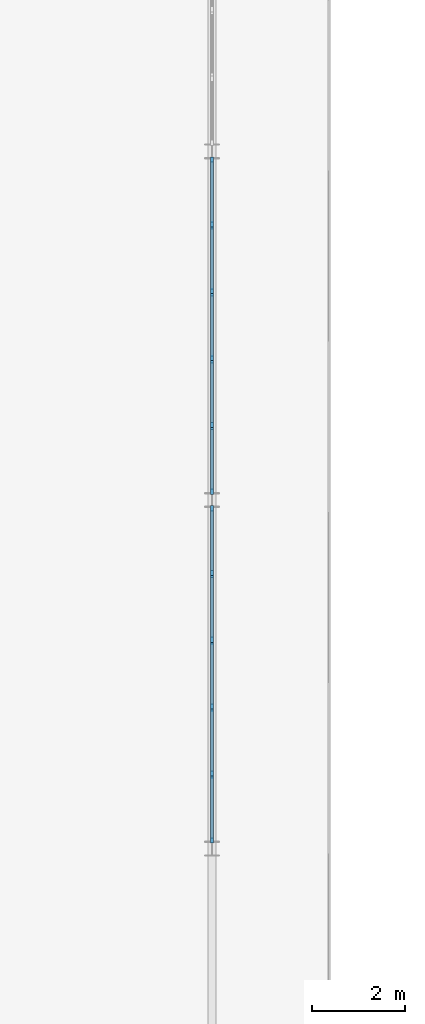
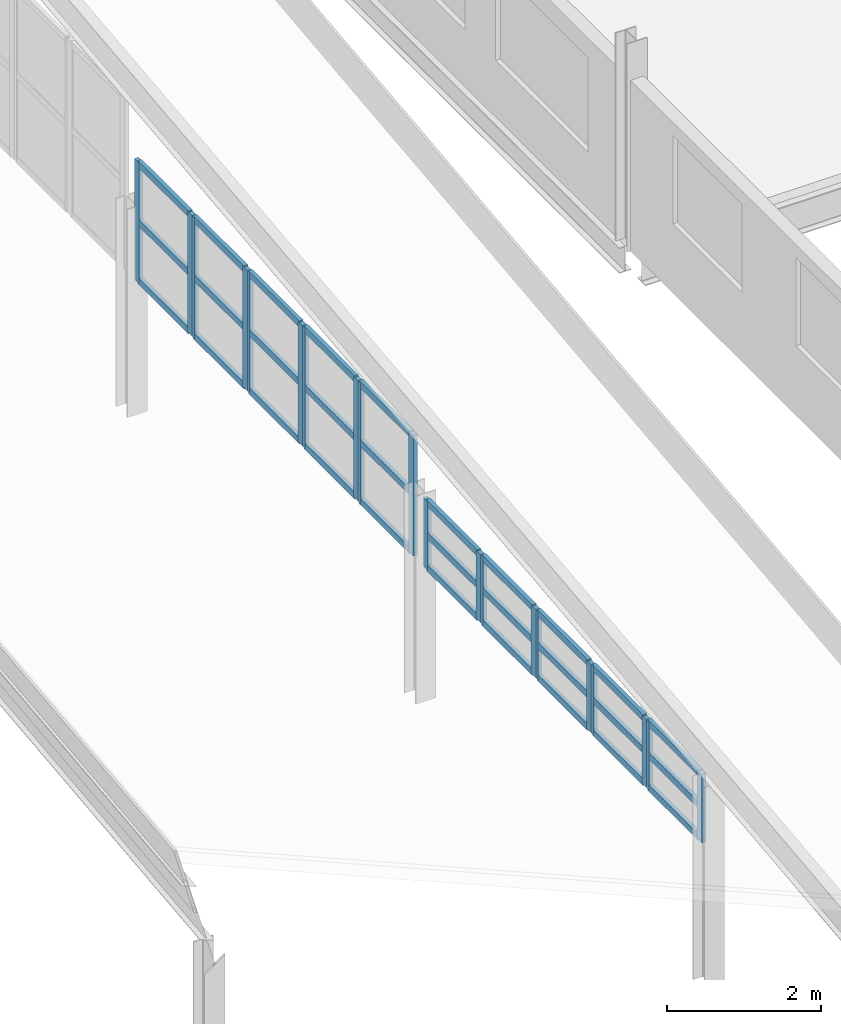
# One storey, part 37 of 199: 50 members, 10 elements without a shape of their own.
"""IFC4 building model written with IfcOpenShell, lengths in metres."""

from ifc_helpers import new_model, si_unit, direction, frame, origin, origin_2d, place, context, subcontext, project, spatial, rectangle, extrude, material, material_profile, profile_set, type_object, element, aggregate, save


model = new_model("IFC4")

# Units and contexts
model_context = context("Model", 3, precision=1e-05, world=origin(), true_north=direction((0.0, 1.0)))
body_context = subcontext(model_context, "Body", "Model", "MODEL_VIEW")
ifc_project = project(units=[si_unit("LENGTHUNIT", "METRE"), si_unit("AREAUNIT", "SQUARE_METRE"), si_unit("VOLUMEUNIT", "CUBIC_METRE"), si_unit("PLANEANGLEUNIT", "RADIAN"), si_unit("MASSUNIT", "GRAM", prefix="KILO")], contexts=[model_context])

# Site, building, storey
site_placement = place(None, origin())
site = spatial("IfcSite", under=ifc_project, at=site_placement, CompositionType="ELEMENT")
building_placement = place(site_placement, origin())
building = spatial("IfcBuilding", under=site, at=building_placement, Name="Parallax Yard Mobility Hub", CompositionType="ELEMENT")
storey_placement = place(building_placement, frame((0.0, 0.0, 9.89990234375)))
storey = spatial("IfcBuildingStorey", under=building, at=storey_placement, Name="L03", CompositionType="ELEMENT", Elevation=9.89990234375)

# Curtain wall, members
ifc_material_1 = material(Name="Thermally broken aluminium curtain wall system", Category="aluminium")
curtain_wall_type = type_object("IfcCurtainWallType", Name="Clerestory glazing run 60 x 120 frame", PredefinedType="NOTDEFINED", material=ifc_material_1)
curtain_wall_1_placement = place(storey_placement, origin())
curtain_wall_1 = element("IfcCurtainWall", 1, at=curtain_wall_1_placement, inside=storey, type_object=curtain_wall_type, Name="Clerestory glazing run Bicycle and shared-mobility hall east bay 2 level L02", PredefinedType="NOTDEFINED")
ifc_material_2 = material(Name="Extruded aluminium", Category="aluminium")
ifc_material_profile_1 = material_profile(ifc_material_2, rectangle(XDim=0.06005859375, YDim=0.1201171875, at=origin_2d()), Name="Mullion 60 x 120")
ifc_profile_set_1 = profile_set([ifc_material_profile_1], Name="Extruded aluminium")
member_type_1 = type_object("IfcMemberType", Name="Mullion 60 x 120", PredefinedType="MULLION", material=ifc_profile_set_1)
member_1_placement = place(storey_placement, frame((172.5, 15.18359375, 2.140625), z_axis=(0.0, 0.0, 1.0), x_axis=(-1.0, 0.0, 0.0)))
member_1 = element("IfcMember", 2, at=member_1_placement, type_object=member_type_1, Name="CW4 mullion 1", PredefinedType="MULLION", context=body_context, shape_type="SweptSolid", body=[
    extrude(rectangle(XDim=0.06005859375, YDim=0.1201171875, at=origin_2d()), origin(), (0.0, 0.0, 1.0), 1.08447265625),
])
member_2_placement = place(storey_placement, frame((172.5, 16.56201171875, 2.140625), z_axis=(0.0, 0.0, 1.0), x_axis=(-1.0, 0.0, 0.0)))
member_2 = element("IfcMember", 3, at=member_2_placement, type_object=member_type_1, Name="CW4 mullion 2", PredefinedType="MULLION", context=body_context, shape_type="SweptSolid", body=[
    extrude(rectangle(XDim=0.06005859375, YDim=0.1201171875, at=origin_2d()), origin(), (0.0, 0.0, 1.0), 1.08447265625),
])

curtain_wall_2_placement = place(storey_placement, origin())
curtain_wall_2 = element("IfcCurtainWall", 4, at=curtain_wall_2_placement, inside=storey, type_object=curtain_wall_type, Name="Clerestory glazing run Bicycle and shared-mobility hall east bay 2 level L02", PredefinedType="NOTDEFINED")
member_3_placement = place(storey_placement, frame((172.5, 16.6220703125, 2.140625), z_axis=(0.0, 0.0, 1.0), x_axis=(-1.0, 0.0, 0.0)))
member_3 = element("IfcMember", 5, at=member_3_placement, type_object=member_type_1, Name="CW4 mullion 1", PredefinedType="MULLION", context=body_context, shape_type="SweptSolid", body=[
    extrude(rectangle(XDim=0.06005859375, YDim=0.1201171875, at=origin_2d()), origin(), (0.0, 0.0, 1.0), 1.08447265625),
])
member_4_placement = place(storey_placement, frame((172.5, 18.000732421875, 2.140625), z_axis=(0.0, 0.0, 1.0), x_axis=(-1.0, 0.0, 0.0)))
member_4 = element("IfcMember", 6, at=member_4_placement, type_object=member_type_1, Name="CW4 mullion 2", PredefinedType="MULLION", context=body_context, shape_type="SweptSolid", body=[
    extrude(rectangle(XDim=0.06005859375, YDim=0.1201171875, at=origin_2d()), origin(), (0.0, 0.0, 1.0), 1.08447265625),
])

curtain_wall_3_placement = place(storey_placement, origin())
curtain_wall_3 = element("IfcCurtainWall", 7, at=curtain_wall_3_placement, inside=storey, type_object=curtain_wall_type, Name="Clerestory glazing run Bicycle and shared-mobility hall east bay 2 level L02", PredefinedType="NOTDEFINED")
member_5_placement = place(storey_placement, frame((172.5, 18.060791015625, 2.140625), z_axis=(0.0, 0.0, 1.0), x_axis=(-1.0, 0.0, 0.0)))
member_5 = element("IfcMember", 8, at=member_5_placement, type_object=member_type_1, Name="CW4 mullion 1", PredefinedType="MULLION", context=body_context, shape_type="SweptSolid", body=[
    extrude(rectangle(XDim=0.06005859375, YDim=0.1201171875, at=origin_2d()), origin(), (0.0, 0.0, 1.0), 1.08447265625),
])
member_6_placement = place(storey_placement, frame((172.5, 19.439208984375, 2.140625), z_axis=(0.0, 0.0, 1.0), x_axis=(-1.0, 0.0, 0.0)))
member_6 = element("IfcMember", 9, at=member_6_placement, type_object=member_type_1, Name="CW4 mullion 2", PredefinedType="MULLION", context=body_context, shape_type="SweptSolid", body=[
    extrude(rectangle(XDim=0.06005859375, YDim=0.1201171875, at=origin_2d()), origin(), (0.0, 0.0, 1.0), 1.08447265625),
])

curtain_wall_4_placement = place(storey_placement, origin())
curtain_wall_4 = element("IfcCurtainWall", 10, at=curtain_wall_4_placement, inside=storey, type_object=curtain_wall_type, Name="Clerestory glazing run Bicycle and shared-mobility hall east bay 2 level L02", PredefinedType="NOTDEFINED")
member_7_placement = place(storey_placement, frame((172.5, 19.499267578125, 2.140625), z_axis=(0.0, 0.0, 1.0), x_axis=(-1.0, 0.0, 0.0)))
member_7 = element("IfcMember", 11, at=member_7_placement, type_object=member_type_1, Name="CW4 mullion 1", PredefinedType="MULLION", context=body_context, shape_type="SweptSolid", body=[
    extrude(rectangle(XDim=0.06005859375, YDim=0.1201171875, at=origin_2d()), origin(), (0.0, 0.0, 1.0), 1.08447265625),
])
member_8_placement = place(storey_placement, frame((172.5, 20.8779296875, 2.140625), z_axis=(0.0, 0.0, 1.0), x_axis=(-1.0, 0.0, 0.0)))
member_8 = element("IfcMember", 12, at=member_8_placement, type_object=member_type_1, Name="CW4 mullion 2", PredefinedType="MULLION", context=body_context, shape_type="SweptSolid", body=[
    extrude(rectangle(XDim=0.06005859375, YDim=0.1201171875, at=origin_2d()), origin(), (0.0, 0.0, 1.0), 1.08447265625),
])

curtain_wall_5_placement = place(storey_placement, origin())
curtain_wall_5 = element("IfcCurtainWall", 13, at=curtain_wall_5_placement, inside=storey, type_object=curtain_wall_type, Name="Clerestory glazing run Bicycle and shared-mobility hall east bay 2 level L02", PredefinedType="NOTDEFINED")
member_9_placement = place(storey_placement, frame((172.5, 20.93798828125, 2.140625), z_axis=(0.0, 0.0, 1.0), x_axis=(-1.0, 0.0, 0.0)))
member_9 = element("IfcMember", 14, at=member_9_placement, type_object=member_type_1, Name="CW4 mullion 1", PredefinedType="MULLION", context=body_context, shape_type="SweptSolid", body=[
    extrude(rectangle(XDim=0.06005859375, YDim=0.1201171875, at=origin_2d()), origin(), (0.0, 0.0, 1.0), 1.08447265625),
])
member_10_placement = place(storey_placement, frame((172.5, 22.31640625, 2.140625), z_axis=(0.0, 0.0, 1.0), x_axis=(-1.0, 0.0, 0.0)))
member_10 = element("IfcMember", 15, at=member_10_placement, type_object=member_type_1, Name="CW4 mullion 2", PredefinedType="MULLION", context=body_context, shape_type="SweptSolid", body=[
    extrude(rectangle(XDim=0.06005859375, YDim=0.1201171875, at=origin_2d()), origin(), (0.0, 0.0, 1.0), 1.08447265625),
])

curtain_wall_6_placement = place(storey_placement, origin())
curtain_wall_6 = element("IfcCurtainWall", 16, at=curtain_wall_6_placement, inside=storey, type_object=curtain_wall_type, Name="Clerestory glazing run Bicycle and shared-mobility hall east bay 3 level L02", PredefinedType="NOTDEFINED")
member_11_placement = place(storey_placement, frame((172.5, 22.68359375, 2.140625), z_axis=(0.0, 0.0, 1.0), x_axis=(-1.0, 0.0, 0.0)))
member_11 = element("IfcMember", 17, at=member_11_placement, type_object=member_type_1, Name="CW4 mullion 1", PredefinedType="MULLION", context=body_context, shape_type="SweptSolid", body=[
    extrude(rectangle(XDim=0.06005859375, YDim=0.1201171875, at=origin_2d()), origin(), (0.0, 0.0, 1.0), 1.912841796875),
])
member_12_placement = place(storey_placement, frame((172.5, 24.06201171875, 2.140625), z_axis=(0.0, 0.0, 1.0), x_axis=(-1.0, 0.0, 0.0)))
member_12 = element("IfcMember", 18, at=member_12_placement, type_object=member_type_1, Name="CW4 mullion 2", PredefinedType="MULLION", context=body_context, shape_type="SweptSolid", body=[
    extrude(rectangle(XDim=0.06005859375, YDim=0.1201171875, at=origin_2d()), origin(), (0.0, 0.0, 1.0), 1.912841796875),
])

curtain_wall_7_placement = place(storey_placement, origin())
curtain_wall_7 = element("IfcCurtainWall", 19, at=curtain_wall_7_placement, inside=storey, type_object=curtain_wall_type, Name="Clerestory glazing run Bicycle and shared-mobility hall east bay 3 level L02", PredefinedType="NOTDEFINED")
member_13_placement = place(storey_placement, frame((172.5, 24.1220703125, 2.140625), z_axis=(0.0, 0.0, 1.0), x_axis=(-1.0, 0.0, 0.0)))
member_13 = element("IfcMember", 20, at=member_13_placement, type_object=member_type_1, Name="CW4 mullion 1", PredefinedType="MULLION", context=body_context, shape_type="SweptSolid", body=[
    extrude(rectangle(XDim=0.06005859375, YDim=0.1201171875, at=origin_2d()), origin(), (0.0, 0.0, 1.0), 1.912841796875),
])
member_14_placement = place(storey_placement, frame((172.5, 25.500732421875, 2.140625), z_axis=(0.0, 0.0, 1.0), x_axis=(-1.0, 0.0, 0.0)))
member_14 = element("IfcMember", 21, at=member_14_placement, type_object=member_type_1, Name="CW4 mullion 2", PredefinedType="MULLION", context=body_context, shape_type="SweptSolid", body=[
    extrude(rectangle(XDim=0.06005859375, YDim=0.1201171875, at=origin_2d()), origin(), (0.0, 0.0, 1.0), 1.912841796875),
])

curtain_wall_8_placement = place(storey_placement, origin())
curtain_wall_8 = element("IfcCurtainWall", 22, at=curtain_wall_8_placement, inside=storey, type_object=curtain_wall_type, Name="Clerestory glazing run Bicycle and shared-mobility hall east bay 3 level L02", PredefinedType="NOTDEFINED")
member_15_placement = place(storey_placement, frame((172.5, 25.560791015625, 2.140625), z_axis=(0.0, 0.0, 1.0), x_axis=(-1.0, 0.0, 0.0)))
member_15 = element("IfcMember", 23, at=member_15_placement, type_object=member_type_1, Name="CW4 mullion 1", PredefinedType="MULLION", context=body_context, shape_type="SweptSolid", body=[
    extrude(rectangle(XDim=0.06005859375, YDim=0.1201171875, at=origin_2d()), origin(), (0.0, 0.0, 1.0), 1.912841796875),
])
member_16_placement = place(storey_placement, frame((172.5, 26.939208984375, 2.140625), z_axis=(0.0, 0.0, 1.0), x_axis=(-1.0, 0.0, 0.0)))
member_16 = element("IfcMember", 24, at=member_16_placement, type_object=member_type_1, Name="CW4 mullion 2", PredefinedType="MULLION", context=body_context, shape_type="SweptSolid", body=[
    extrude(rectangle(XDim=0.06005859375, YDim=0.1201171875, at=origin_2d()), origin(), (0.0, 0.0, 1.0), 1.912841796875),
])

curtain_wall_9_placement = place(storey_placement, origin())
curtain_wall_9 = element("IfcCurtainWall", 25, at=curtain_wall_9_placement, inside=storey, type_object=curtain_wall_type, Name="Clerestory glazing run Bicycle and shared-mobility hall east bay 3 level L02", PredefinedType="NOTDEFINED")
member_17_placement = place(storey_placement, frame((172.5, 26.999267578125, 2.140625), z_axis=(0.0, 0.0, 1.0), x_axis=(-1.0, 0.0, 0.0)))
member_17 = element("IfcMember", 26, at=member_17_placement, type_object=member_type_1, Name="CW4 mullion 1", PredefinedType="MULLION", context=body_context, shape_type="SweptSolid", body=[
    extrude(rectangle(XDim=0.06005859375, YDim=0.1201171875, at=origin_2d()), origin(), (0.0, 0.0, 1.0), 1.912841796875),
])
member_18_placement = place(storey_placement, frame((172.5, 28.3779296875, 2.140625), z_axis=(0.0, 0.0, 1.0), x_axis=(-1.0, 0.0, 0.0)))
member_18 = element("IfcMember", 27, at=member_18_placement, type_object=member_type_1, Name="CW4 mullion 2", PredefinedType="MULLION", context=body_context, shape_type="SweptSolid", body=[
    extrude(rectangle(XDim=0.06005859375, YDim=0.1201171875, at=origin_2d()), origin(), (0.0, 0.0, 1.0), 1.912841796875),
])

curtain_wall_10_placement = place(storey_placement, origin())
curtain_wall_10 = element("IfcCurtainWall", 28, at=curtain_wall_10_placement, inside=storey, type_object=curtain_wall_type, Name="Clerestory glazing run Bicycle and shared-mobility hall east bay 3 level L02", PredefinedType="NOTDEFINED")
member_19_placement = place(storey_placement, frame((172.5, 28.43798828125, 2.140625), z_axis=(0.0, 0.0, 1.0), x_axis=(-1.0, 0.0, 0.0)))
member_19 = element("IfcMember", 29, at=member_19_placement, type_object=member_type_1, Name="CW4 mullion 1", PredefinedType="MULLION", context=body_context, shape_type="SweptSolid", body=[
    extrude(rectangle(XDim=0.06005859375, YDim=0.1201171875, at=origin_2d()), origin(), (0.0, 0.0, 1.0), 1.912841796875),
])
member_20_placement = place(storey_placement, frame((172.5, 29.81640625, 2.140625), z_axis=(0.0, 0.0, 1.0), x_axis=(-1.0, 0.0, 0.0)))
member_20 = element("IfcMember", 30, at=member_20_placement, type_object=member_type_1, Name="CW4 mullion 2", PredefinedType="MULLION", context=body_context, shape_type="SweptSolid", body=[
    extrude(rectangle(XDim=0.06005859375, YDim=0.1201171875, at=origin_2d()), origin(), (0.0, 0.0, 1.0), 1.912841796875),
])

# Member
ifc_material_profile_2 = material_profile(ifc_material_2, rectangle(XDim=0.06005859375, YDim=0.10009765625, at=origin_2d()), Name="Transom 60 x 100")
ifc_profile_set_2 = profile_set([ifc_material_profile_2], Name="Extruded aluminium")
member_type_2 = type_object("IfcMemberType", Name="Transom 60 x 100", PredefinedType="USERDEFINED", material=ifc_profile_set_2)
member_21_placement = place(storey_placement, frame((172.5, 15.21337890625, 2.170654296875), z_axis=(0.0, 1.0, 0.0), x_axis=(-1.0, 0.0, 0.0)))
member_21 = element("IfcMember", 31, at=member_21_placement, type_object=member_type_2, Name="CW4 transom 1.1", ObjectType="TRANSOM", PredefinedType="USERDEFINED", context=body_context, shape_type="SweptSolid", body=[
    extrude(rectangle(XDim=0.06005859375, YDim=0.10009765625, at=origin_2d()), origin(), (0.0, 0.0, 1.0), 1.318603515625),
])

member_22_placement = place(storey_placement, frame((172.5, 15.21337890625, 2.682861328125), z_axis=(0.0, 1.0, 0.0), x_axis=(-1.0, 0.0, 0.0)))
member_22 = element("IfcMember", 32, at=member_22_placement, type_object=member_type_2, Name="CW4 transom 1.2", ObjectType="TRANSOM", PredefinedType="USERDEFINED", context=body_context, shape_type="SweptSolid", body=[
    extrude(rectangle(XDim=0.06005859375, YDim=0.10009765625, at=origin_2d()), origin(), (0.0, 0.0, 1.0), 1.318603515625),
])

member_23_placement = place(storey_placement, frame((172.5, 15.21337890625, 3.195068359375), z_axis=(0.0, 1.0, 0.0), x_axis=(-1.0, 0.0, 0.0)))
member_23 = element("IfcMember", 33, at=member_23_placement, type_object=member_type_2, Name="CW4 transom 1.3", ObjectType="TRANSOM", PredefinedType="USERDEFINED", context=body_context, shape_type="SweptSolid", body=[
    extrude(rectangle(XDim=0.06005859375, YDim=0.10009765625, at=origin_2d()), origin(), (0.0, 0.0, 1.0), 1.318603515625),
])

aggregate(curtain_wall_1, [member_1, member_2, member_21, member_22, member_23])

member_24_placement = place(storey_placement, frame((172.5, 16.652099609375, 2.170654296875), z_axis=(0.0, 1.0, 0.0), x_axis=(-1.0, 0.0, 0.0)))
member_24 = element("IfcMember", 34, at=member_24_placement, type_object=member_type_2, Name="CW4 transom 1.1", ObjectType="TRANSOM", PredefinedType="USERDEFINED", context=body_context, shape_type="SweptSolid", body=[
    extrude(rectangle(XDim=0.06005859375, YDim=0.10009765625, at=origin_2d()), origin(), (0.0, 0.0, 1.0), 1.318603515625),
])

member_25_placement = place(storey_placement, frame((172.5, 16.652099609375, 2.682861328125), z_axis=(0.0, 1.0, 0.0), x_axis=(-1.0, 0.0, 0.0)))
member_25 = element("IfcMember", 35, at=member_25_placement, type_object=member_type_2, Name="CW4 transom 1.2", ObjectType="TRANSOM", PredefinedType="USERDEFINED", context=body_context, shape_type="SweptSolid", body=[
    extrude(rectangle(XDim=0.06005859375, YDim=0.10009765625, at=origin_2d()), origin(), (0.0, 0.0, 1.0), 1.318603515625),
])

member_26_placement = place(storey_placement, frame((172.5, 16.652099609375, 3.195068359375), z_axis=(0.0, 1.0, 0.0), x_axis=(-1.0, 0.0, 0.0)))
member_26 = element("IfcMember", 36, at=member_26_placement, type_object=member_type_2, Name="CW4 transom 1.3", ObjectType="TRANSOM", PredefinedType="USERDEFINED", context=body_context, shape_type="SweptSolid", body=[
    extrude(rectangle(XDim=0.06005859375, YDim=0.10009765625, at=origin_2d()), origin(), (0.0, 0.0, 1.0), 1.318603515625),
])

aggregate(curtain_wall_2, [member_3, member_4, member_24, member_25, member_26])

member_27_placement = place(storey_placement, frame((172.5, 18.0908203125, 2.170654296875), z_axis=(0.0, 1.0, 0.0), x_axis=(-1.0, 0.0, 0.0)))
member_27 = element("IfcMember", 37, at=member_27_placement, type_object=member_type_2, Name="CW4 transom 1.1", ObjectType="TRANSOM", PredefinedType="USERDEFINED", context=body_context, shape_type="SweptSolid", body=[
    extrude(rectangle(XDim=0.06005859375, YDim=0.10009765625, at=origin_2d()), origin(), (0.0, 0.0, 1.0), 1.318359375),
])

member_28_placement = place(storey_placement, frame((172.5, 18.0908203125, 2.682861328125), z_axis=(0.0, 1.0, 0.0), x_axis=(-1.0, 0.0, 0.0)))
member_28 = element("IfcMember", 38, at=member_28_placement, type_object=member_type_2, Name="CW4 transom 1.2", ObjectType="TRANSOM", PredefinedType="USERDEFINED", context=body_context, shape_type="SweptSolid", body=[
    extrude(rectangle(XDim=0.06005859375, YDim=0.10009765625, at=origin_2d()), origin(), (0.0, 0.0, 1.0), 1.318359375),
])

member_29_placement = place(storey_placement, frame((172.5, 18.0908203125, 3.195068359375), z_axis=(0.0, 1.0, 0.0), x_axis=(-1.0, 0.0, 0.0)))
member_29 = element("IfcMember", 39, at=member_29_placement, type_object=member_type_2, Name="CW4 transom 1.3", ObjectType="TRANSOM", PredefinedType="USERDEFINED", context=body_context, shape_type="SweptSolid", body=[
    extrude(rectangle(XDim=0.06005859375, YDim=0.10009765625, at=origin_2d()), origin(), (0.0, 0.0, 1.0), 1.318359375),
])

aggregate(curtain_wall_3, [member_5, member_6, member_27, member_28, member_29])

member_30_placement = place(storey_placement, frame((172.5, 19.529296875, 2.170654296875), z_axis=(0.0, 1.0, 0.0), x_axis=(-1.0, 0.0, 0.0)))
member_30 = element("IfcMember", 40, at=member_30_placement, type_object=member_type_2, Name="CW4 transom 1.1", ObjectType="TRANSOM", PredefinedType="USERDEFINED", context=body_context, shape_type="SweptSolid", body=[
    extrude(rectangle(XDim=0.06005859375, YDim=0.10009765625, at=origin_2d()), origin(), (0.0, 0.0, 1.0), 1.318603515625),
])

member_31_placement = place(storey_placement, frame((172.5, 19.529296875, 2.682861328125), z_axis=(0.0, 1.0, 0.0), x_axis=(-1.0, 0.0, 0.0)))
member_31 = element("IfcMember", 41, at=member_31_placement, type_object=member_type_2, Name="CW4 transom 1.2", ObjectType="TRANSOM", PredefinedType="USERDEFINED", context=body_context, shape_type="SweptSolid", body=[
    extrude(rectangle(XDim=0.06005859375, YDim=0.10009765625, at=origin_2d()), origin(), (0.0, 0.0, 1.0), 1.318603515625),
])

member_32_placement = place(storey_placement, frame((172.5, 19.529296875, 3.195068359375), z_axis=(0.0, 1.0, 0.0), x_axis=(-1.0, 0.0, 0.0)))
member_32 = element("IfcMember", 42, at=member_32_placement, type_object=member_type_2, Name="CW4 transom 1.3", ObjectType="TRANSOM", PredefinedType="USERDEFINED", context=body_context, shape_type="SweptSolid", body=[
    extrude(rectangle(XDim=0.06005859375, YDim=0.10009765625, at=origin_2d()), origin(), (0.0, 0.0, 1.0), 1.318603515625),
])

aggregate(curtain_wall_4, [member_7, member_8, member_30, member_31, member_32])

member_33_placement = place(storey_placement, frame((172.5, 20.968017578125, 2.170654296875), z_axis=(0.0, 1.0, 0.0), x_axis=(-1.0, 0.0, 0.0)))
member_33 = element("IfcMember", 43, at=member_33_placement, type_object=member_type_2, Name="CW4 transom 1.1", ObjectType="TRANSOM", PredefinedType="USERDEFINED", context=body_context, shape_type="SweptSolid", body=[
    extrude(rectangle(XDim=0.06005859375, YDim=0.10009765625, at=origin_2d()), origin(), (0.0, 0.0, 1.0), 1.318603515625),
])

member_34_placement = place(storey_placement, frame((172.5, 20.968017578125, 2.682861328125), z_axis=(0.0, 1.0, 0.0), x_axis=(-1.0, 0.0, 0.0)))
member_34 = element("IfcMember", 44, at=member_34_placement, type_object=member_type_2, Name="CW4 transom 1.2", ObjectType="TRANSOM", PredefinedType="USERDEFINED", context=body_context, shape_type="SweptSolid", body=[
    extrude(rectangle(XDim=0.06005859375, YDim=0.10009765625, at=origin_2d()), origin(), (0.0, 0.0, 1.0), 1.318603515625),
])

member_35_placement = place(storey_placement, frame((172.5, 20.968017578125, 3.195068359375), z_axis=(0.0, 1.0, 0.0), x_axis=(-1.0, 0.0, 0.0)))
member_35 = element("IfcMember", 45, at=member_35_placement, type_object=member_type_2, Name="CW4 transom 1.3", ObjectType="TRANSOM", PredefinedType="USERDEFINED", context=body_context, shape_type="SweptSolid", body=[
    extrude(rectangle(XDim=0.06005859375, YDim=0.10009765625, at=origin_2d()), origin(), (0.0, 0.0, 1.0), 1.318603515625),
])

aggregate(curtain_wall_5, [member_9, member_10, member_33, member_34, member_35])

member_36_placement = place(storey_placement, frame((172.5, 22.71337890625, 2.170654296875), z_axis=(0.0, 1.0, 0.0), x_axis=(-1.0, 0.0, 0.0)))
member_36 = element("IfcMember", 46, at=member_36_placement, type_object=member_type_2, Name="CW4 transom 1.1", ObjectType="TRANSOM", PredefinedType="USERDEFINED", context=body_context, shape_type="SweptSolid", body=[
    extrude(rectangle(XDim=0.06005859375, YDim=0.10009765625, at=origin_2d()), origin(), (0.0, 0.0, 1.0), 1.318603515625),
])

member_37_placement = place(storey_placement, frame((172.5, 22.71337890625, 3.096923828125), z_axis=(0.0, 1.0, 0.0), x_axis=(-1.0, 0.0, 0.0)))
member_37 = element("IfcMember", 47, at=member_37_placement, type_object=member_type_2, Name="CW4 transom 1.2", ObjectType="TRANSOM", PredefinedType="USERDEFINED", context=body_context, shape_type="SweptSolid", body=[
    extrude(rectangle(XDim=0.06005859375, YDim=0.10009765625, at=origin_2d()), origin(), (0.0, 0.0, 1.0), 1.318603515625),
])

member_38_placement = place(storey_placement, frame((172.5, 22.71337890625, 4.0234375), z_axis=(0.0, 1.0, 0.0), x_axis=(-1.0, 0.0, 0.0)))
member_38 = element("IfcMember", 48, at=member_38_placement, type_object=member_type_2, Name="CW4 transom 1.3", ObjectType="TRANSOM", PredefinedType="USERDEFINED", context=body_context, shape_type="SweptSolid", body=[
    extrude(rectangle(XDim=0.06005859375, YDim=0.10009765625, at=origin_2d()), origin(), (0.0, 0.0, 1.0), 1.318603515625),
])

aggregate(curtain_wall_6, [member_11, member_12, member_36, member_37, member_38])

member_39_placement = place(storey_placement, frame((172.5, 24.152099609375, 2.170654296875), z_axis=(0.0, 1.0, 0.0), x_axis=(-1.0, 0.0, 0.0)))
member_39 = element("IfcMember", 49, at=member_39_placement, type_object=member_type_2, Name="CW4 transom 1.1", ObjectType="TRANSOM", PredefinedType="USERDEFINED", context=body_context, shape_type="SweptSolid", body=[
    extrude(rectangle(XDim=0.06005859375, YDim=0.10009765625, at=origin_2d()), origin(), (0.0, 0.0, 1.0), 1.318603515625),
])

member_40_placement = place(storey_placement, frame((172.5, 24.152099609375, 3.096923828125), z_axis=(0.0, 1.0, 0.0), x_axis=(-1.0, 0.0, 0.0)))
member_40 = element("IfcMember", 50, at=member_40_placement, type_object=member_type_2, Name="CW4 transom 1.2", ObjectType="TRANSOM", PredefinedType="USERDEFINED", context=body_context, shape_type="SweptSolid", body=[
    extrude(rectangle(XDim=0.06005859375, YDim=0.10009765625, at=origin_2d()), origin(), (0.0, 0.0, 1.0), 1.318603515625),
])

member_41_placement = place(storey_placement, frame((172.5, 24.152099609375, 4.0234375), z_axis=(0.0, 1.0, 0.0), x_axis=(-1.0, 0.0, 0.0)))
member_41 = element("IfcMember", 51, at=member_41_placement, type_object=member_type_2, Name="CW4 transom 1.3", ObjectType="TRANSOM", PredefinedType="USERDEFINED", context=body_context, shape_type="SweptSolid", body=[
    extrude(rectangle(XDim=0.06005859375, YDim=0.10009765625, at=origin_2d()), origin(), (0.0, 0.0, 1.0), 1.318603515625),
])

aggregate(curtain_wall_7, [member_13, member_14, member_39, member_40, member_41])

member_42_placement = place(storey_placement, frame((172.5, 25.5908203125, 2.170654296875), z_axis=(0.0, 1.0, 0.0), x_axis=(-1.0, 0.0, 0.0)))
member_42 = element("IfcMember", 52, at=member_42_placement, type_object=member_type_2, Name="CW4 transom 1.1", ObjectType="TRANSOM", PredefinedType="USERDEFINED", context=body_context, shape_type="SweptSolid", body=[
    extrude(rectangle(XDim=0.06005859375, YDim=0.10009765625, at=origin_2d()), origin(), (0.0, 0.0, 1.0), 1.318359375),
])

member_43_placement = place(storey_placement, frame((172.5, 25.5908203125, 3.096923828125), z_axis=(0.0, 1.0, 0.0), x_axis=(-1.0, 0.0, 0.0)))
member_43 = element("IfcMember", 53, at=member_43_placement, type_object=member_type_2, Name="CW4 transom 1.2", ObjectType="TRANSOM", PredefinedType="USERDEFINED", context=body_context, shape_type="SweptSolid", body=[
    extrude(rectangle(XDim=0.06005859375, YDim=0.10009765625, at=origin_2d()), origin(), (0.0, 0.0, 1.0), 1.318359375),
])

member_44_placement = place(storey_placement, frame((172.5, 25.5908203125, 4.0234375), z_axis=(0.0, 1.0, 0.0), x_axis=(-1.0, 0.0, 0.0)))
member_44 = element("IfcMember", 54, at=member_44_placement, type_object=member_type_2, Name="CW4 transom 1.3", ObjectType="TRANSOM", PredefinedType="USERDEFINED", context=body_context, shape_type="SweptSolid", body=[
    extrude(rectangle(XDim=0.06005859375, YDim=0.10009765625, at=origin_2d()), origin(), (0.0, 0.0, 1.0), 1.318359375),
])

aggregate(curtain_wall_8, [member_15, member_16, member_42, member_43, member_44])

member_45_placement = place(storey_placement, frame((172.5, 27.029296875, 2.170654296875), z_axis=(0.0, 1.0, 0.0), x_axis=(-1.0, 0.0, 0.0)))
member_45 = element("IfcMember", 55, at=member_45_placement, type_object=member_type_2, Name="CW4 transom 1.1", ObjectType="TRANSOM", PredefinedType="USERDEFINED", context=body_context, shape_type="SweptSolid", body=[
    extrude(rectangle(XDim=0.06005859375, YDim=0.10009765625, at=origin_2d()), origin(), (0.0, 0.0, 1.0), 1.318603515625),
])

member_46_placement = place(storey_placement, frame((172.5, 27.029296875, 3.096923828125), z_axis=(0.0, 1.0, 0.0), x_axis=(-1.0, 0.0, 0.0)))
member_46 = element("IfcMember", 56, at=member_46_placement, type_object=member_type_2, Name="CW4 transom 1.2", ObjectType="TRANSOM", PredefinedType="USERDEFINED", context=body_context, shape_type="SweptSolid", body=[
    extrude(rectangle(XDim=0.06005859375, YDim=0.10009765625, at=origin_2d()), origin(), (0.0, 0.0, 1.0), 1.318603515625),
])

member_47_placement = place(storey_placement, frame((172.5, 27.029296875, 4.0234375), z_axis=(0.0, 1.0, 0.0), x_axis=(-1.0, 0.0, 0.0)))
member_47 = element("IfcMember", 57, at=member_47_placement, type_object=member_type_2, Name="CW4 transom 1.3", ObjectType="TRANSOM", PredefinedType="USERDEFINED", context=body_context, shape_type="SweptSolid", body=[
    extrude(rectangle(XDim=0.06005859375, YDim=0.10009765625, at=origin_2d()), origin(), (0.0, 0.0, 1.0), 1.318603515625),
])

aggregate(curtain_wall_9, [member_17, member_18, member_45, member_46, member_47])

member_48_placement = place(storey_placement, frame((172.5, 28.468017578125, 2.170654296875), z_axis=(0.0, 1.0, 0.0), x_axis=(-1.0, 0.0, 0.0)))
member_48 = element("IfcMember", 58, at=member_48_placement, type_object=member_type_2, Name="CW4 transom 1.1", ObjectType="TRANSOM", PredefinedType="USERDEFINED", context=body_context, shape_type="SweptSolid", body=[
    extrude(rectangle(XDim=0.06005859375, YDim=0.10009765625, at=origin_2d()), origin(), (0.0, 0.0, 1.0), 1.318603515625),
])

member_49_placement = place(storey_placement, frame((172.5, 28.468017578125, 3.096923828125), z_axis=(0.0, 1.0, 0.0), x_axis=(-1.0, 0.0, 0.0)))
member_49 = element("IfcMember", 59, at=member_49_placement, type_object=member_type_2, Name="CW4 transom 1.2", ObjectType="TRANSOM", PredefinedType="USERDEFINED", context=body_context, shape_type="SweptSolid", body=[
    extrude(rectangle(XDim=0.06005859375, YDim=0.10009765625, at=origin_2d()), origin(), (0.0, 0.0, 1.0), 1.318603515625),
])

member_50_placement = place(storey_placement, frame((172.5, 28.468017578125, 4.0234375), z_axis=(0.0, 1.0, 0.0), x_axis=(-1.0, 0.0, 0.0)))
member_50 = element("IfcMember", 60, at=member_50_placement, type_object=member_type_2, Name="CW4 transom 1.3", ObjectType="TRANSOM", PredefinedType="USERDEFINED", context=body_context, shape_type="SweptSolid", body=[
    extrude(rectangle(XDim=0.06005859375, YDim=0.10009765625, at=origin_2d()), origin(), (0.0, 0.0, 1.0), 1.318603515625),
])

aggregate(curtain_wall_10, [member_19, member_20, member_48, member_49, member_50])

save(model, "model.ifc")
